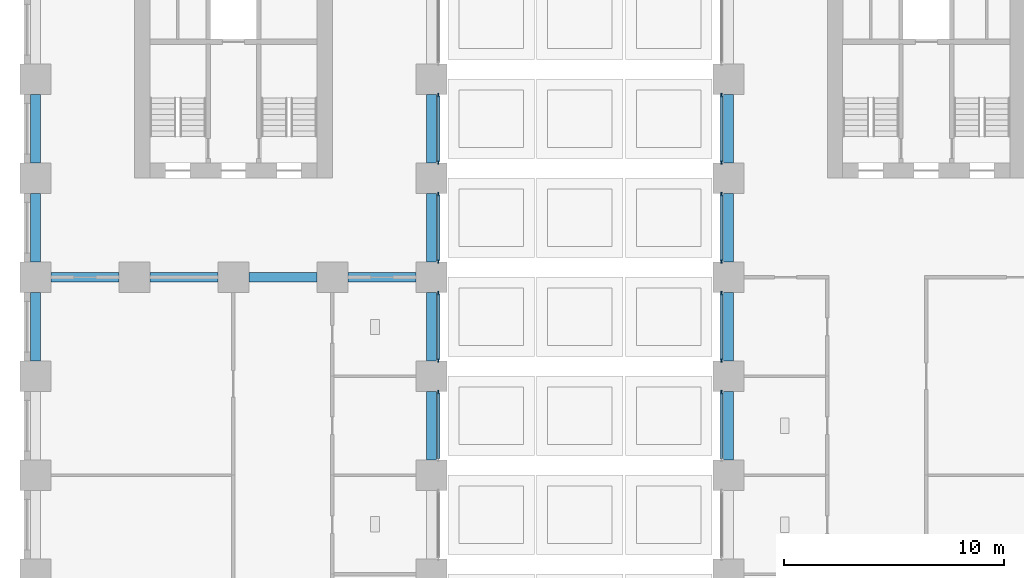
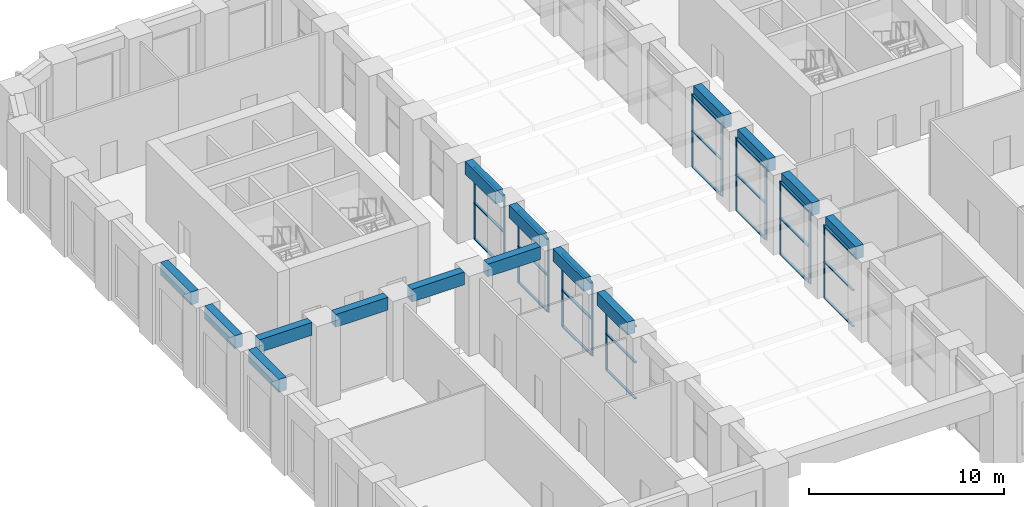
# One storey, part 3 of 24: 38 members, 15 beams, 8 elements without a shape of their own.
"""IFC4 building model written with IfcOpenShell, lengths in metres."""

from ifc_helpers import new_model, si_unit, direction, frame, origin, origin_2d, place, context, subcontext, project, spatial, rectangle, extrude, material, material_profile, profile_set, type_object, element, aggregate, save


model = new_model("IFC4")

# Units and contexts
model_context = context("Model", 3, precision=1e-05, world=origin(), true_north=direction((0.0, 1.0)))
body_context = subcontext(model_context, "Body", "Model", "MODEL_VIEW")
ifc_project = project(units=[si_unit("LENGTHUNIT", "METRE"), si_unit("AREAUNIT", "SQUARE_METRE"), si_unit("VOLUMEUNIT", "CUBIC_METRE"), si_unit("PLANEANGLEUNIT", "RADIAN"), si_unit("MASSUNIT", "GRAM", prefix="KILO")], contexts=[model_context])

# Site, building, storey
site_placement = place(None, origin())
site = spatial("IfcSite", under=ifc_project, at=site_placement, CompositionType="ELEMENT")
building_placement = place(site_placement, origin())
building = spatial("IfcBuilding", under=site, at=building_placement, Name="Girih Gate Residences", CompositionType="ELEMENT")
storey_placement = place(building_placement, frame((0.0, 0.0, 16.0)))
storey = spatial("IfcBuildingStorey", under=building, at=storey_placement, Name="L03", CompositionType="ELEMENT", Elevation=16.0)

# Curtain wall, member
ifc_material_1 = material(Name="Aluminium curtain wall frame", Category="aluminium")
curtain_wall_type = type_object("IfcCurtainWallType", Name="Curtain wall CW-2 podium amenity glazing", PredefinedType="NOTDEFINED", material=ifc_material_1)
curtain_wall_1_placement = place(storey_placement, origin())
curtain_wall_1 = element("IfcCurtainWall", 1, at=curtain_wall_1_placement, inside=storey, type_object=curtain_wall_type, Name="CW-2 Podium amenity glazing E0180_0000.3", PredefinedType="NOTDEFINED")
ifc_material_profile_1 = material_profile(ifc_material_1, rectangle(XDim=0.06005859375, YDim=0.179931640625, at=origin_2d()))
ifc_profile_set_1 = profile_set([ifc_material_profile_1], Name="Aluminium curtain wall frame")
member_type_1 = type_object("IfcMemberType", Name="Curtain wall mullion 60x180", PredefinedType="MULLION", material=ifc_profile_set_1)
member_1_placement = place(storey_placement, frame((18.31494140625, 17.27001953125, 0.0), z_axis=(0.0, 0.0, 1.0), x_axis=(-1.0, 0.0, 0.0)))
member_1 = element("IfcMember", 2, at=member_1_placement, type_object=member_type_1, Name="CW-2 mullion 2", PredefinedType="MULLION", context=body_context, shape_type="SweptSolid", body=[
    extrude(rectangle(XDim=0.06005859375, YDim=0.179931640625, at=origin_2d()), origin(), (0.0, 0.0, 1.0), 4.550048828125),
])

# Curtain wall, members
curtain_wall_2_placement = place(storey_placement, origin())
curtain_wall_2 = element("IfcCurtainWall", 3, at=curtain_wall_2_placement, inside=storey, type_object=curtain_wall_type, Name="CW-2 Podium amenity glazing E0180_0000.4", PredefinedType="NOTDEFINED")
member_2_placement = place(storey_placement, frame((18.31494140625, 18.72998046875, 0.0), z_axis=(0.0, 0.0, 1.0), x_axis=(-1.0, 0.0, 0.0)))
member_2 = element("IfcMember", 4, at=member_2_placement, type_object=member_type_1, Name="CW-2 mullion 1", PredefinedType="MULLION", context=body_context, shape_type="SweptSolid", body=[
    extrude(rectangle(XDim=0.06005859375, YDim=0.179931640625, at=origin_2d()), origin(), (0.0, 0.0, 1.0), 4.550048828125),
])
member_3_placement = place(storey_placement, frame((18.31494140625, 21.77001953125, 0.0), z_axis=(0.0, 0.0, 1.0), x_axis=(-1.0, 0.0, 0.0)))
member_3 = element("IfcMember", 5, at=member_3_placement, type_object=member_type_1, Name="CW-2 mullion 2", PredefinedType="MULLION", context=body_context, shape_type="SweptSolid", body=[
    extrude(rectangle(XDim=0.06005859375, YDim=0.179931640625, at=origin_2d()), origin(), (0.0, 0.0, 1.0), 4.550048828125),
])

curtain_wall_3_placement = place(storey_placement, origin())
curtain_wall_3 = element("IfcCurtainWall", 6, at=curtain_wall_3_placement, inside=storey, type_object=curtain_wall_type, Name="CW-2 Podium amenity glazing E0180_0000.5", PredefinedType="NOTDEFINED")
member_4_placement = place(storey_placement, frame((18.31494140625, 23.22998046875, 0.0), z_axis=(0.0, 0.0, 1.0), x_axis=(-1.0, 0.0, 0.0)))
member_4 = element("IfcMember", 7, at=member_4_placement, type_object=member_type_1, Name="CW-2 mullion 1", PredefinedType="MULLION", context=body_context, shape_type="SweptSolid", body=[
    extrude(rectangle(XDim=0.06005859375, YDim=0.179931640625, at=origin_2d()), origin(), (0.0, 0.0, 1.0), 4.550048828125),
])
member_5_placement = place(storey_placement, frame((18.31494140625, 26.27001953125, 0.0), z_axis=(0.0, 0.0, 1.0), x_axis=(-1.0, 0.0, 0.0)))
member_5 = element("IfcMember", 8, at=member_5_placement, type_object=member_type_1, Name="CW-2 mullion 2", PredefinedType="MULLION", context=body_context, shape_type="SweptSolid", body=[
    extrude(rectangle(XDim=0.06005859375, YDim=0.179931640625, at=origin_2d()), origin(), (0.0, 0.0, 1.0), 4.550048828125),
])

curtain_wall_4_placement = place(storey_placement, origin())
curtain_wall_4 = element("IfcCurtainWall", 9, at=curtain_wall_4_placement, inside=storey, type_object=curtain_wall_type, Name="CW-2 Podium amenity glazing E0180_0000.6", PredefinedType="NOTDEFINED")
member_6_placement = place(storey_placement, frame((18.31494140625, 27.72998046875, 0.0), z_axis=(0.0, 0.0, 1.0), x_axis=(-1.0, 0.0, 0.0)))
member_6 = element("IfcMember", 10, at=member_6_placement, type_object=member_type_1, Name="CW-2 mullion 1", PredefinedType="MULLION", context=body_context, shape_type="SweptSolid", body=[
    extrude(rectangle(XDim=0.06005859375, YDim=0.179931640625, at=origin_2d()), origin(), (0.0, 0.0, 1.0), 4.550048828125),
])
member_7_placement = place(storey_placement, frame((18.31494140625, 30.77001953125, 0.0), z_axis=(0.0, 0.0, 1.0), x_axis=(-1.0, 0.0, 0.0)))
member_7 = element("IfcMember", 11, at=member_7_placement, type_object=member_type_1, Name="CW-2 mullion 2", PredefinedType="MULLION", context=body_context, shape_type="SweptSolid", body=[
    extrude(rectangle(XDim=0.06005859375, YDim=0.179931640625, at=origin_2d()), origin(), (0.0, 0.0, 1.0), 4.550048828125),
])

curtain_wall_5_placement = place(storey_placement, origin())
curtain_wall_5 = element("IfcCurtainWall", 12, at=curtain_wall_5_placement, inside=storey, type_object=curtain_wall_type, Name="CW-2 Podium amenity glazing W0315_0495.4", PredefinedType="NOTDEFINED")
member_8_placement = place(storey_placement, frame((31.18505859375, 30.77001953125, 0.0), z_axis=(0.0, 0.0, 1.0), x_axis=(1.0, 0.0, 0.0)))
member_8 = element("IfcMember", 13, at=member_8_placement, type_object=member_type_1, Name="CW-2 mullion 1", PredefinedType="MULLION", context=body_context, shape_type="SweptSolid", body=[
    extrude(rectangle(XDim=0.06005859375, YDim=0.179931640625, at=origin_2d()), origin(), (0.0, 0.0, 1.0), 4.550048828125),
])
member_9_placement = place(storey_placement, frame((31.18505859375, 27.72998046875, 0.0), z_axis=(0.0, 0.0, 1.0), x_axis=(1.0, 0.0, 0.0)))
member_9 = element("IfcMember", 14, at=member_9_placement, type_object=member_type_1, Name="CW-2 mullion 2", PredefinedType="MULLION", context=body_context, shape_type="SweptSolid", body=[
    extrude(rectangle(XDim=0.06005859375, YDim=0.179931640625, at=origin_2d()), origin(), (0.0, 0.0, 1.0), 4.550048828125),
])

curtain_wall_6_placement = place(storey_placement, origin())
curtain_wall_6 = element("IfcCurtainWall", 15, at=curtain_wall_6_placement, inside=storey, type_object=curtain_wall_type, Name="CW-2 Podium amenity glazing W0315_0495.5", PredefinedType="NOTDEFINED")
member_10_placement = place(storey_placement, frame((31.18505859375, 26.27001953125, 0.0), z_axis=(0.0, 0.0, 1.0), x_axis=(1.0, 0.0, 0.0)))
member_10 = element("IfcMember", 16, at=member_10_placement, type_object=member_type_1, Name="CW-2 mullion 1", PredefinedType="MULLION", context=body_context, shape_type="SweptSolid", body=[
    extrude(rectangle(XDim=0.06005859375, YDim=0.179931640625, at=origin_2d()), origin(), (0.0, 0.0, 1.0), 4.550048828125),
])
member_11_placement = place(storey_placement, frame((31.18505859375, 23.22998046875, 0.0), z_axis=(0.0, 0.0, 1.0), x_axis=(1.0, 0.0, 0.0)))
member_11 = element("IfcMember", 17, at=member_11_placement, type_object=member_type_1, Name="CW-2 mullion 2", PredefinedType="MULLION", context=body_context, shape_type="SweptSolid", body=[
    extrude(rectangle(XDim=0.06005859375, YDim=0.179931640625, at=origin_2d()), origin(), (0.0, 0.0, 1.0), 4.550048828125),
])

curtain_wall_7_placement = place(storey_placement, origin())
curtain_wall_7 = element("IfcCurtainWall", 18, at=curtain_wall_7_placement, inside=storey, type_object=curtain_wall_type, Name="CW-2 Podium amenity glazing W0315_0495.6", PredefinedType="NOTDEFINED")
member_12_placement = place(storey_placement, frame((31.18505859375, 21.77001953125, 0.0), z_axis=(0.0, 0.0, 1.0), x_axis=(1.0, 0.0, 0.0)))
member_12 = element("IfcMember", 19, at=member_12_placement, type_object=member_type_1, Name="CW-2 mullion 1", PredefinedType="MULLION", context=body_context, shape_type="SweptSolid", body=[
    extrude(rectangle(XDim=0.06005859375, YDim=0.179931640625, at=origin_2d()), origin(), (0.0, 0.0, 1.0), 4.550048828125),
])
member_13_placement = place(storey_placement, frame((31.18505859375, 18.72998046875, 0.0), z_axis=(0.0, 0.0, 1.0), x_axis=(1.0, 0.0, 0.0)))
member_13 = element("IfcMember", 20, at=member_13_placement, type_object=member_type_1, Name="CW-2 mullion 2", PredefinedType="MULLION", context=body_context, shape_type="SweptSolid", body=[
    extrude(rectangle(XDim=0.06005859375, YDim=0.179931640625, at=origin_2d()), origin(), (0.0, 0.0, 1.0), 4.550048828125),
])

# Curtain wall, member
curtain_wall_8_placement = place(storey_placement, origin())
curtain_wall_8 = element("IfcCurtainWall", 21, at=curtain_wall_8_placement, inside=storey, type_object=curtain_wall_type, Name="CW-2 Podium amenity glazing W0315_0495.7", PredefinedType="NOTDEFINED")
member_14_placement = place(storey_placement, frame((31.18505859375, 17.27001953125, 0.0), z_axis=(0.0, 0.0, 1.0), x_axis=(1.0, 0.0, 0.0)))
member_14 = element("IfcMember", 22, at=member_14_placement, type_object=member_type_1, Name="CW-2 mullion 1", PredefinedType="MULLION", context=body_context, shape_type="SweptSolid", body=[
    extrude(rectangle(XDim=0.06005859375, YDim=0.179931640625, at=origin_2d()), origin(), (0.0, 0.0, 1.0), 4.550048828125),
])

# Member
ifc_material_profile_2 = material_profile(ifc_material_1, rectangle(XDim=0.139892578125, YDim=0.06005859375, at=origin_2d()))
ifc_profile_set_2 = profile_set([ifc_material_profile_2], Name="Aluminium curtain wall frame")
member_type_2 = type_object("IfcMemberType", Name="Curtain wall transom 60x140", PredefinedType="USERDEFINED", material=ifc_profile_set_2)
member_15_placement = place(storey_placement, frame((18.31494140625, 14.260009765625, 0.030029296875), z_axis=(0.0, 1.0, 0.0), x_axis=(-1.0, 0.0, 0.0)))
member_15 = element("IfcMember", 23, at=member_15_placement, type_object=member_type_2, Name="CW-2 transom 1.1", ObjectType="TRANSOM", PredefinedType="USERDEFINED", context=body_context, shape_type="SweptSolid", body=[
    extrude(rectangle(XDim=0.139892578125, YDim=0.06005859375, at=origin_2d()), origin(), (0.0, 0.0, 1.0), 2.97998046875),
])

member_16_placement = place(storey_placement, frame((18.31494140625, 14.260009765625, 2.27490234375), z_axis=(0.0, 1.0, 0.0), x_axis=(-1.0, 0.0, 0.0)))
member_16 = element("IfcMember", 24, at=member_16_placement, type_object=member_type_2, Name="CW-2 transom 1.2", ObjectType="TRANSOM", PredefinedType="USERDEFINED", context=body_context, shape_type="SweptSolid", body=[
    extrude(rectangle(XDim=0.139892578125, YDim=0.06005859375, at=origin_2d()), origin(), (0.0, 0.0, 1.0), 2.97998046875),
])

member_17_placement = place(storey_placement, frame((18.31494140625, 14.260009765625, 4.52001953125), z_axis=(0.0, 1.0, 0.0), x_axis=(-1.0, 0.0, 0.0)))
member_17 = element("IfcMember", 25, at=member_17_placement, type_object=member_type_2, Name="CW-2 transom 1.3", ObjectType="TRANSOM", PredefinedType="USERDEFINED", context=body_context, shape_type="SweptSolid", body=[
    extrude(rectangle(XDim=0.139892578125, YDim=0.06005859375, at=origin_2d()), origin(), (0.0, 0.0, 1.0), 2.97998046875),
])

aggregate(curtain_wall_1, [member_1, member_15, member_16, member_17])

member_18_placement = place(storey_placement, frame((18.31494140625, 18.760009765625, 0.030029296875), z_axis=(0.0, 1.0, 0.0), x_axis=(-1.0, 0.0, 0.0)))
member_18 = element("IfcMember", 26, at=member_18_placement, type_object=member_type_2, Name="CW-2 transom 1.1", ObjectType="TRANSOM", PredefinedType="USERDEFINED", context=body_context, shape_type="SweptSolid", body=[
    extrude(rectangle(XDim=0.139892578125, YDim=0.06005859375, at=origin_2d()), origin(), (0.0, 0.0, 1.0), 2.97998046875),
])

member_19_placement = place(storey_placement, frame((18.31494140625, 18.760009765625, 2.27490234375), z_axis=(0.0, 1.0, 0.0), x_axis=(-1.0, 0.0, 0.0)))
member_19 = element("IfcMember", 27, at=member_19_placement, type_object=member_type_2, Name="CW-2 transom 1.2", ObjectType="TRANSOM", PredefinedType="USERDEFINED", context=body_context, shape_type="SweptSolid", body=[
    extrude(rectangle(XDim=0.139892578125, YDim=0.06005859375, at=origin_2d()), origin(), (0.0, 0.0, 1.0), 2.97998046875),
])

member_20_placement = place(storey_placement, frame((18.31494140625, 18.760009765625, 4.52001953125), z_axis=(0.0, 1.0, 0.0), x_axis=(-1.0, 0.0, 0.0)))
member_20 = element("IfcMember", 28, at=member_20_placement, type_object=member_type_2, Name="CW-2 transom 1.3", ObjectType="TRANSOM", PredefinedType="USERDEFINED", context=body_context, shape_type="SweptSolid", body=[
    extrude(rectangle(XDim=0.139892578125, YDim=0.06005859375, at=origin_2d()), origin(), (0.0, 0.0, 1.0), 2.97998046875),
])

aggregate(curtain_wall_2, [member_2, member_3, member_18, member_19, member_20])

member_21_placement = place(storey_placement, frame((18.31494140625, 23.260009765625, 0.030029296875), z_axis=(0.0, 1.0, 0.0), x_axis=(-1.0, 0.0, 0.0)))
member_21 = element("IfcMember", 29, at=member_21_placement, type_object=member_type_2, Name="CW-2 transom 1.1", ObjectType="TRANSOM", PredefinedType="USERDEFINED", context=body_context, shape_type="SweptSolid", body=[
    extrude(rectangle(XDim=0.139892578125, YDim=0.06005859375, at=origin_2d()), origin(), (0.0, 0.0, 1.0), 2.97998046875),
])

member_22_placement = place(storey_placement, frame((18.31494140625, 23.260009765625, 2.27490234375), z_axis=(0.0, 1.0, 0.0), x_axis=(-1.0, 0.0, 0.0)))
member_22 = element("IfcMember", 30, at=member_22_placement, type_object=member_type_2, Name="CW-2 transom 1.2", ObjectType="TRANSOM", PredefinedType="USERDEFINED", context=body_context, shape_type="SweptSolid", body=[
    extrude(rectangle(XDim=0.139892578125, YDim=0.06005859375, at=origin_2d()), origin(), (0.0, 0.0, 1.0), 2.97998046875),
])

member_23_placement = place(storey_placement, frame((18.31494140625, 23.260009765625, 4.52001953125), z_axis=(0.0, 1.0, 0.0), x_axis=(-1.0, 0.0, 0.0)))
member_23 = element("IfcMember", 31, at=member_23_placement, type_object=member_type_2, Name="CW-2 transom 1.3", ObjectType="TRANSOM", PredefinedType="USERDEFINED", context=body_context, shape_type="SweptSolid", body=[
    extrude(rectangle(XDim=0.139892578125, YDim=0.06005859375, at=origin_2d()), origin(), (0.0, 0.0, 1.0), 2.97998046875),
])

aggregate(curtain_wall_3, [member_4, member_5, member_21, member_22, member_23])

member_24_placement = place(storey_placement, frame((18.31494140625, 27.760009765625, 0.030029296875), z_axis=(0.0, 1.0, 0.0), x_axis=(-1.0, 0.0, 0.0)))
member_24 = element("IfcMember", 32, at=member_24_placement, type_object=member_type_2, Name="CW-2 transom 1.1", ObjectType="TRANSOM", PredefinedType="USERDEFINED", context=body_context, shape_type="SweptSolid", body=[
    extrude(rectangle(XDim=0.139892578125, YDim=0.06005859375, at=origin_2d()), origin(), (0.0, 0.0, 1.0), 2.97998046875),
])

member_25_placement = place(storey_placement, frame((18.31494140625, 27.760009765625, 2.27490234375), z_axis=(0.0, 1.0, 0.0), x_axis=(-1.0, 0.0, 0.0)))
member_25 = element("IfcMember", 33, at=member_25_placement, type_object=member_type_2, Name="CW-2 transom 1.2", ObjectType="TRANSOM", PredefinedType="USERDEFINED", context=body_context, shape_type="SweptSolid", body=[
    extrude(rectangle(XDim=0.139892578125, YDim=0.06005859375, at=origin_2d()), origin(), (0.0, 0.0, 1.0), 2.97998046875),
])

member_26_placement = place(storey_placement, frame((18.31494140625, 27.760009765625, 4.52001953125), z_axis=(0.0, 1.0, 0.0), x_axis=(-1.0, 0.0, 0.0)))
member_26 = element("IfcMember", 34, at=member_26_placement, type_object=member_type_2, Name="CW-2 transom 1.3", ObjectType="TRANSOM", PredefinedType="USERDEFINED", context=body_context, shape_type="SweptSolid", body=[
    extrude(rectangle(XDim=0.139892578125, YDim=0.06005859375, at=origin_2d()), origin(), (0.0, 0.0, 1.0), 2.97998046875),
])

aggregate(curtain_wall_4, [member_6, member_7, member_24, member_25, member_26])

member_27_placement = place(storey_placement, frame((31.18505859375, 30.739990234375, 0.030029296875), z_axis=(0.0, -1.0, 0.0), x_axis=(1.0, 0.0, 0.0)))
member_27 = element("IfcMember", 35, at=member_27_placement, type_object=member_type_2, Name="CW-2 transom 1.1", ObjectType="TRANSOM", PredefinedType="USERDEFINED", context=body_context, shape_type="SweptSolid", body=[
    extrude(rectangle(XDim=0.139892578125, YDim=0.06005859375, at=origin_2d()), origin(), (0.0, 0.0, 1.0), 2.97998046875),
])

member_28_placement = place(storey_placement, frame((31.18505859375, 30.739990234375, 2.27490234375), z_axis=(0.0, -1.0, 0.0), x_axis=(1.0, 0.0, 0.0)))
member_28 = element("IfcMember", 36, at=member_28_placement, type_object=member_type_2, Name="CW-2 transom 1.2", ObjectType="TRANSOM", PredefinedType="USERDEFINED", context=body_context, shape_type="SweptSolid", body=[
    extrude(rectangle(XDim=0.139892578125, YDim=0.06005859375, at=origin_2d()), origin(), (0.0, 0.0, 1.0), 2.97998046875),
])

member_29_placement = place(storey_placement, frame((31.18505859375, 30.739990234375, 4.52001953125), z_axis=(0.0, -1.0, 0.0), x_axis=(1.0, 0.0, 0.0)))
member_29 = element("IfcMember", 37, at=member_29_placement, type_object=member_type_2, Name="CW-2 transom 1.3", ObjectType="TRANSOM", PredefinedType="USERDEFINED", context=body_context, shape_type="SweptSolid", body=[
    extrude(rectangle(XDim=0.139892578125, YDim=0.06005859375, at=origin_2d()), origin(), (0.0, 0.0, 1.0), 2.97998046875),
])

aggregate(curtain_wall_5, [member_8, member_9, member_27, member_28, member_29])

member_30_placement = place(storey_placement, frame((31.18505859375, 26.239990234375, 0.030029296875), z_axis=(0.0, -1.0, 0.0), x_axis=(1.0, 0.0, 0.0)))
member_30 = element("IfcMember", 38, at=member_30_placement, type_object=member_type_2, Name="CW-2 transom 1.1", ObjectType="TRANSOM", PredefinedType="USERDEFINED", context=body_context, shape_type="SweptSolid", body=[
    extrude(rectangle(XDim=0.139892578125, YDim=0.06005859375, at=origin_2d()), origin(), (0.0, 0.0, 1.0), 2.97998046875),
])

member_31_placement = place(storey_placement, frame((31.18505859375, 26.239990234375, 2.27490234375), z_axis=(0.0, -1.0, 0.0), x_axis=(1.0, 0.0, 0.0)))
member_31 = element("IfcMember", 39, at=member_31_placement, type_object=member_type_2, Name="CW-2 transom 1.2", ObjectType="TRANSOM", PredefinedType="USERDEFINED", context=body_context, shape_type="SweptSolid", body=[
    extrude(rectangle(XDim=0.139892578125, YDim=0.06005859375, at=origin_2d()), origin(), (0.0, 0.0, 1.0), 2.97998046875),
])

member_32_placement = place(storey_placement, frame((31.18505859375, 26.239990234375, 4.52001953125), z_axis=(0.0, -1.0, 0.0), x_axis=(1.0, 0.0, 0.0)))
member_32 = element("IfcMember", 40, at=member_32_placement, type_object=member_type_2, Name="CW-2 transom 1.3", ObjectType="TRANSOM", PredefinedType="USERDEFINED", context=body_context, shape_type="SweptSolid", body=[
    extrude(rectangle(XDim=0.139892578125, YDim=0.06005859375, at=origin_2d()), origin(), (0.0, 0.0, 1.0), 2.97998046875),
])

aggregate(curtain_wall_6, [member_10, member_11, member_30, member_31, member_32])

member_33_placement = place(storey_placement, frame((31.18505859375, 21.739990234375, 0.030029296875), z_axis=(0.0, -1.0, 0.0), x_axis=(1.0, 0.0, 0.0)))
member_33 = element("IfcMember", 41, at=member_33_placement, type_object=member_type_2, Name="CW-2 transom 1.1", ObjectType="TRANSOM", PredefinedType="USERDEFINED", context=body_context, shape_type="SweptSolid", body=[
    extrude(rectangle(XDim=0.139892578125, YDim=0.06005859375, at=origin_2d()), origin(), (0.0, 0.0, 1.0), 2.97998046875),
])

member_34_placement = place(storey_placement, frame((31.18505859375, 21.739990234375, 2.27490234375), z_axis=(0.0, -1.0, 0.0), x_axis=(1.0, 0.0, 0.0)))
member_34 = element("IfcMember", 42, at=member_34_placement, type_object=member_type_2, Name="CW-2 transom 1.2", ObjectType="TRANSOM", PredefinedType="USERDEFINED", context=body_context, shape_type="SweptSolid", body=[
    extrude(rectangle(XDim=0.139892578125, YDim=0.06005859375, at=origin_2d()), origin(), (0.0, 0.0, 1.0), 2.97998046875),
])

member_35_placement = place(storey_placement, frame((31.18505859375, 21.739990234375, 4.52001953125), z_axis=(0.0, -1.0, 0.0), x_axis=(1.0, 0.0, 0.0)))
member_35 = element("IfcMember", 43, at=member_35_placement, type_object=member_type_2, Name="CW-2 transom 1.3", ObjectType="TRANSOM", PredefinedType="USERDEFINED", context=body_context, shape_type="SweptSolid", body=[
    extrude(rectangle(XDim=0.139892578125, YDim=0.06005859375, at=origin_2d()), origin(), (0.0, 0.0, 1.0), 2.97998046875),
])

aggregate(curtain_wall_7, [member_12, member_13, member_33, member_34, member_35])

member_36_placement = place(storey_placement, frame((31.18505859375, 17.239990234375, 0.030029296875), z_axis=(0.0, -1.0, 0.0), x_axis=(1.0, 0.0, 0.0)))
member_36 = element("IfcMember", 44, at=member_36_placement, type_object=member_type_2, Name="CW-2 transom 1.1", ObjectType="TRANSOM", PredefinedType="USERDEFINED", context=body_context, shape_type="SweptSolid", body=[
    extrude(rectangle(XDim=0.139892578125, YDim=0.06005859375, at=origin_2d()), origin(), (0.0, 0.0, 1.0), 2.97998046875),
])

member_37_placement = place(storey_placement, frame((31.18505859375, 17.239990234375, 2.27490234375), z_axis=(0.0, -1.0, 0.0), x_axis=(1.0, 0.0, 0.0)))
member_37 = element("IfcMember", 45, at=member_37_placement, type_object=member_type_2, Name="CW-2 transom 1.2", ObjectType="TRANSOM", PredefinedType="USERDEFINED", context=body_context, shape_type="SweptSolid", body=[
    extrude(rectangle(XDim=0.139892578125, YDim=0.06005859375, at=origin_2d()), origin(), (0.0, 0.0, 1.0), 2.97998046875),
])

member_38_placement = place(storey_placement, frame((31.18505859375, 17.239990234375, 4.52001953125), z_axis=(0.0, -1.0, 0.0), x_axis=(1.0, 0.0, 0.0)))
member_38 = element("IfcMember", 46, at=member_38_placement, type_object=member_type_2, Name="CW-2 transom 1.3", ObjectType="TRANSOM", PredefinedType="USERDEFINED", context=body_context, shape_type="SweptSolid", body=[
    extrude(rectangle(XDim=0.139892578125, YDim=0.06005859375, at=origin_2d()), origin(), (0.0, 0.0, 1.0), 2.97998046875),
])

aggregate(curtain_wall_8, [member_14, member_36, member_37, member_38])

# Beams
ifc_material_2 = material(Name="Concrete C60/75", Category="concrete")
ifc_material_profile_3 = material_profile(ifc_material_2, rectangle(XDim=0.449951171875, YDim=0.800048828125, at=origin_2d()))
ifc_profile_set_3 = profile_set([ifc_material_profile_3], Name="Concrete C60/75")
beam_type = type_object("IfcBeamType", Name="Spandrel girder RC 450x800 Concrete C60/75", PredefinedType="BEAM", material=ifc_profile_set_3)
for number, where, z_axis, x_axis, name in (
    (47, (0.0, 30.800048828125, 4.60009765625), (0.0, -1.0, 0.0), (1.0, 0.0, 0.0), "Spandrel girder SP-P1H-P1G L03"),
    (48, (0.0, 26.300048828125, 4.60009765625), (0.0, -1.0, 0.0), (1.0, 0.0, 0.0), "Spandrel girder SP-P1G-P1F L03"),
    (49, (0.0, 21.800048828125, 4.60009765625), (0.0, -1.0, 0.0), (1.0, 0.0, 0.0), "Spandrel girder SP-P1F-P1E L03"),
    (50, (18.0, 14.199951171875, 4.60009765625), (0.0, 1.0, 0.0), (-1.0, 0.0, 0.0), "Spandrel girder SP-P5D-P5E L03"),
    (51, (18.0, 18.699951171875, 4.60009765625), (0.0, 1.0, 0.0), (-1.0, 0.0, 0.0), "Spandrel girder SP-P5E-P5F L03"),
    (52, (18.0, 23.199951171875, 4.60009765625), (0.0, 1.0, 0.0), (-1.0, 0.0, 0.0), "Spandrel girder SP-P5F-P5G L03"),
    (53, (18.0, 27.699951171875, 4.60009765625), (0.0, 1.0, 0.0), (-1.0, 0.0, 0.0), "Spandrel girder SP-P5G-P5H L03"),
    (54, (31.5, 30.800048828125, 4.60009765625), (0.0, -1.0, 0.0), (1.0, 0.0, 0.0), "Spandrel girder SP-P8H-P8G L03"),
    (55, (31.5, 26.300048828125, 4.60009765625), (0.0, -1.0, 0.0), (1.0, 0.0, 0.0), "Spandrel girder SP-P8G-P8F L03"),
    (56, (31.5, 21.800048828125, 4.60009765625), (0.0, -1.0, 0.0), (1.0, 0.0, 0.0), "Spandrel girder SP-P8F-P8E L03"),
    (57, (31.5, 17.300048828125, 4.60009765625), (0.0, -1.0, 0.0), (1.0, 0.0, 0.0), "Spandrel girder SP-P8E-P8D L03"),
    (58, (0.699951171875, 22.5, 4.60009765625), (1.0, 0.0, 0.0), (0.0, 1.0, 0.0), "Spandrel girder SP-P1F-P2F L03"),
    (59, (5.199951171875, 22.5, 4.60009765625), (1.0, 0.0, 0.0), (0.0, 1.0, 0.0), "Spandrel girder SP-P2F-P3F L03"),
    (60, (9.699951171875, 22.5, 4.60009765625), (1.0, 0.0, 0.0), (0.0, 1.0, 0.0), "Spandrel girder SP-P3F-P4F L03"),
    (61, (14.199951171875, 22.5, 4.60009765625), (1.0, 0.0, 0.0), (0.0, 1.0, 0.0), "Spandrel girder SP-P4F-P5F L03"),
):
    element("IfcBeam", number, at=place(storey_placement, frame(where, z_axis=z_axis, x_axis=x_axis)), inside=storey, type_object=beam_type, Name=name, PredefinedType="BEAM", context=body_context, shape_type="SweptSolid", body=[
        extrude(rectangle(XDim=0.449951171875, YDim=0.800048828125, at=origin_2d()), origin(), (0.0, 0.0, 1.0), 3.10009765625),
    ])

save(model, "model.ifc")
